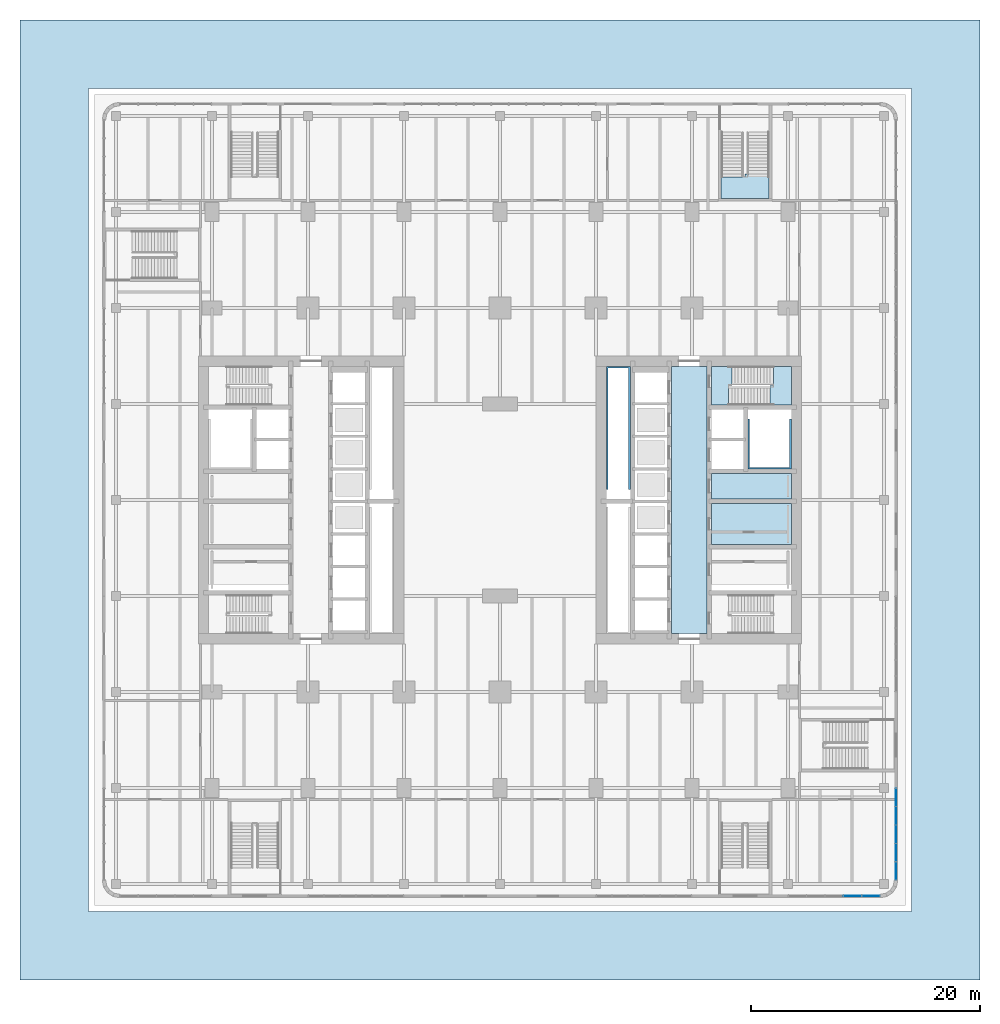
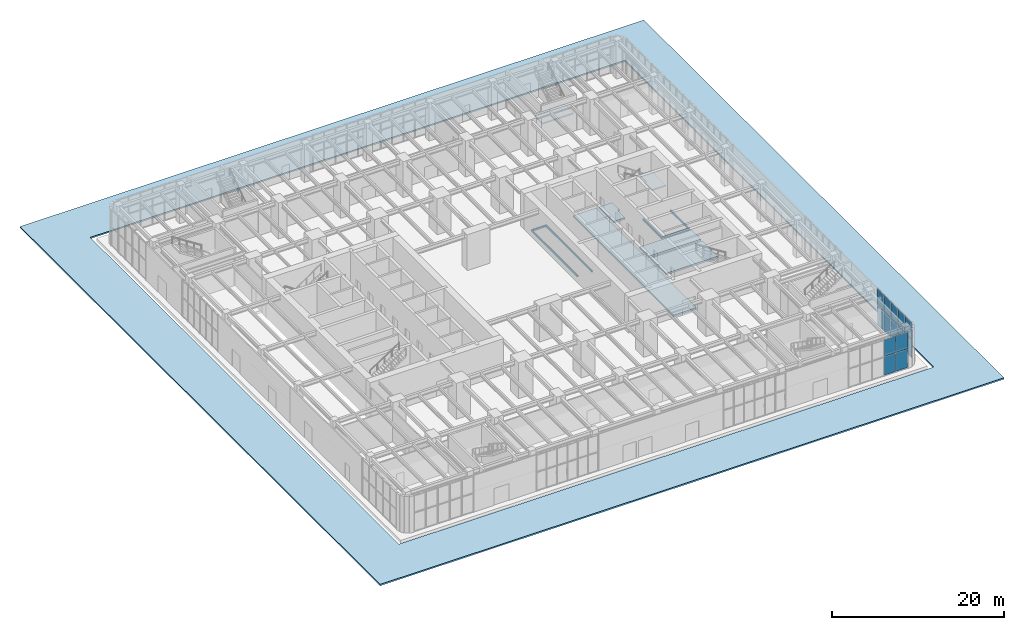
# One storey, part 15 of 31: 14 plates, 9 slabs, 4 elements without a shape of their own.
"""IFC4 building model written with IfcOpenShell, lengths in metres."""

from ifc_helpers import new_model, si_unit, direction, frame, origin, origin_2d, place, context, subcontext, project, spatial, polyline, rectangle, outline, extrude, material, layer, layer_set, type_object, element, aggregate, save


model = new_model("IFC4")

# Units and contexts
model_context = context("Model", 3, precision=1e-05, world=origin(), true_north=direction((0.0, 1.0)))
body_context = subcontext(model_context, "Body", "Model", "MODEL_VIEW")
ifc_project = project(units=[si_unit("LENGTHUNIT", "METRE"), si_unit("AREAUNIT", "SQUARE_METRE"), si_unit("VOLUMEUNIT", "CUBIC_METRE"), si_unit("PLANEANGLEUNIT", "RADIAN"), si_unit("MASSUNIT", "GRAM", prefix="KILO")], contexts=[model_context])

# Site, building, storey
site_placement = place(None, origin())
site = spatial("IfcSite", under=ifc_project, at=site_placement, CompositionType="ELEMENT")
building_placement = place(site_placement, origin())
building = spatial("IfcBuilding", under=site, at=building_placement, Name="Claustro Exchange Tower", CompositionType="ELEMENT")
storey_placement = place(building_placement, origin())
storey = spatial("IfcBuildingStorey", under=building, at=storey_placement, Name="L00", CompositionType="ELEMENT", Elevation=0.0)

# Curtain wall, plates
ifc_material_1 = material(Name="Aluminium frame, clear double glazing", Category="aluminium")
curtain_wall_type = type_object("IfcCurtainWallType", Name="CW1 storefront curtain wall", PredefinedType="USERDEFINED", material=ifc_material_1)
curtain_wall_1_placement = place(storey_placement, origin())
curtain_wall_1 = element("IfcCurtainWall", 1, at=curtain_wall_1_placement, inside=storey, type_object=curtain_wall_type, Name="Curtain wall CW1 L00", ObjectType="STICK CURTAIN WALL", PredefinedType="USERDEFINED")
ifc_material_2 = material(Name="Clear double glazing", Category="glass")
ifc_layer_1 = layer(ifc_material_2, 0.031982421875)
ifc_layer_set_1 = layer_set([ifc_layer_1], Name="Clear double glazing")
plate_type = type_object("IfcPlateType", Name="CW1-P 32 glazed panel", PredefinedType="CURTAIN_PANEL", material=ifc_layer_set_1)
plate_1_placement = place(storey_placement, frame((56.0595703125, -9.449951171875, 0.074951171875), z_axis=(0.0, 0.0, 1.0), x_axis=(1.0, 0.0, 0.0)))
plate_1 = element("IfcPlate", 2, at=plate_1_placement, type_object=plate_type, Name="CW1 panel 4.1", PredefinedType="CURTAIN_PANEL", context=body_context, shape_type="SweptSolid", body=[
    extrude(rectangle(XDim=1.5419921875, YDim=0.031982421875, at=origin_2d()), origin(), (0.0, 0.0, 1.0), 2.58740234375),
])
plate_2_placement = place(storey_placement, frame((56.0595703125, -9.449951171875, 2.7373046875), z_axis=(0.0, 0.0, 1.0), x_axis=(1.0, 0.0, 0.0)))
plate_2 = element("IfcPlate", 3, at=plate_2_placement, type_object=plate_type, Name="CW1 panel 4.2", PredefinedType="CURTAIN_PANEL", context=body_context, shape_type="SweptSolid", body=[
    extrude(rectangle(XDim=1.5419921875, YDim=0.031982421875, at=origin_2d()), origin(), (0.0, 0.0, 1.0), 2.387451171875),
])
plate_3_placement = place(storey_placement, frame((57.657958984375, -9.449951171875, 0.074951171875), z_axis=(0.0, 0.0, 1.0), x_axis=(1.0, 0.0, 0.0)))
plate_3 = element("IfcPlate", 4, at=plate_3_placement, type_object=plate_type, Name="CW1 panel 5.1", PredefinedType="CURTAIN_PANEL", context=body_context, shape_type="SweptSolid", body=[
    extrude(rectangle(XDim=1.504638671875, YDim=0.031982421875, at=origin_2d()), origin(), (0.0, 0.0, 1.0), 2.58740234375),
])
plate_4_placement = place(storey_placement, frame((57.657958984375, -9.449951171875, 2.7373046875), z_axis=(0.0, 0.0, 1.0), x_axis=(1.0, 0.0, 0.0)))
plate_4 = element("IfcPlate", 5, at=plate_4_placement, type_object=plate_type, Name="CW1 panel 5.2", PredefinedType="CURTAIN_PANEL", context=body_context, shape_type="SweptSolid", body=[
    extrude(rectangle(XDim=1.504638671875, YDim=0.031982421875, at=origin_2d()), origin(), (0.0, 0.0, 1.0), 2.387451171875),
])
aggregate(curtain_wall_1, [plate_1, plate_2, plate_3, plate_4])

curtain_wall_2_placement = place(storey_placement, origin())
curtain_wall_2 = element("IfcCurtainWall", 6, at=curtain_wall_2_placement, inside=storey, type_object=curtain_wall_type, Name="Curtain wall CW1 L00", ObjectType="STICK CURTAIN WALL", PredefinedType="USERDEFINED")
plate_5_placement = place(storey_placement, frame((59.85009765625, -7.2578125, 0.074951171875), z_axis=(0.0, 0.0, 1.0), x_axis=(0.0, 1.0, 0.0)))
plate_5 = element("IfcPlate", 7, at=plate_5_placement, type_object=plate_type, Name="CW1 panel 1.1", PredefinedType="CURTAIN_PANEL", context=body_context, shape_type="SweptSolid", body=[
    extrude(rectangle(XDim=1.504638671875, YDim=0.031982421875, at=origin_2d()), origin(), (0.0, 0.0, 1.0), 2.58740234375),
])
plate_6_placement = place(storey_placement, frame((59.85009765625, -7.2578125, 2.7373046875), z_axis=(0.0, 0.0, 1.0), x_axis=(0.0, 1.0, 0.0)))
plate_6 = element("IfcPlate", 8, at=plate_6_placement, type_object=plate_type, Name="CW1 panel 1.2", PredefinedType="CURTAIN_PANEL", context=body_context, shape_type="SweptSolid", body=[
    extrude(rectangle(XDim=1.504638671875, YDim=0.031982421875, at=origin_2d()), origin(), (0.0, 0.0, 1.0), 2.387451171875),
])
plate_7_placement = place(storey_placement, frame((59.85009765625, -5.65966796875, 0.074951171875), z_axis=(0.0, 0.0, 1.0), x_axis=(0.0, 1.0, 0.0)))
plate_7 = element("IfcPlate", 9, at=plate_7_placement, type_object=plate_type, Name="CW1 panel 2.1", PredefinedType="CURTAIN_PANEL", context=body_context, shape_type="SweptSolid", body=[
    extrude(rectangle(XDim=1.5419921875, YDim=0.031982421875, at=origin_2d()), origin(), (0.0, 0.0, 1.0), 2.58740234375),
])
plate_8_placement = place(storey_placement, frame((59.85009765625, -5.65966796875, 2.7373046875), z_axis=(0.0, 0.0, 1.0), x_axis=(0.0, 1.0, 0.0)))
plate_8 = element("IfcPlate", 10, at=plate_8_placement, type_object=plate_type, Name="CW1 panel 2.2", PredefinedType="CURTAIN_PANEL", context=body_context, shape_type="SweptSolid", body=[
    extrude(rectangle(XDim=1.5419921875, YDim=0.031982421875, at=origin_2d()), origin(), (0.0, 0.0, 1.0), 2.387451171875),
])
plate_9_placement = place(storey_placement, frame((59.85009765625, -4.04248046875, 0.074951171875), z_axis=(0.0, 0.0, 1.0), x_axis=(0.0, 1.0, 0.0)))
plate_9 = element("IfcPlate", 11, at=plate_9_placement, type_object=plate_type, Name="CW1 panel 3.1", PredefinedType="CURTAIN_PANEL", context=body_context, shape_type="SweptSolid", body=[
    extrude(rectangle(XDim=1.5419921875, YDim=0.031982421875, at=origin_2d()), origin(), (0.0, 0.0, 1.0), 2.58740234375),
])
plate_10_placement = place(storey_placement, frame((59.85009765625, -4.04248046875, 2.7373046875), z_axis=(0.0, 0.0, 1.0), x_axis=(0.0, 1.0, 0.0)))
plate_10 = element("IfcPlate", 12, at=plate_10_placement, type_object=plate_type, Name="CW1 panel 3.2", PredefinedType="CURTAIN_PANEL", context=body_context, shape_type="SweptSolid", body=[
    extrude(rectangle(XDim=1.5419921875, YDim=0.031982421875, at=origin_2d()), origin(), (0.0, 0.0, 1.0), 2.387451171875),
])
plate_11_placement = place(storey_placement, frame((59.85009765625, -2.425537109375, 0.074951171875), z_axis=(0.0, 0.0, 1.0), x_axis=(0.0, 1.0, 0.0)))
plate_11 = element("IfcPlate", 13, at=plate_11_placement, type_object=plate_type, Name="CW1 panel 4.1", PredefinedType="CURTAIN_PANEL", context=body_context, shape_type="SweptSolid", body=[
    extrude(rectangle(XDim=1.5419921875, YDim=0.031982421875, at=origin_2d()), origin(), (0.0, 0.0, 1.0), 2.58740234375),
])
plate_12_placement = place(storey_placement, frame((59.85009765625, -2.425537109375, 2.7373046875), z_axis=(0.0, 0.0, 1.0), x_axis=(0.0, 1.0, 0.0)))
plate_12 = element("IfcPlate", 14, at=plate_12_placement, type_object=plate_type, Name="CW1 panel 4.2", PredefinedType="CURTAIN_PANEL", context=body_context, shape_type="SweptSolid", body=[
    extrude(rectangle(XDim=1.5419921875, YDim=0.031982421875, at=origin_2d()), origin(), (0.0, 0.0, 1.0), 2.387451171875),
])
plate_13_placement = place(storey_placement, frame((59.85009765625, -0.8271484375, 0.074951171875), z_axis=(0.0, 0.0, 1.0), x_axis=(0.0, 1.0, 0.0)))
plate_13 = element("IfcPlate", 15, at=plate_13_placement, type_object=plate_type, Name="CW1 panel 5.1", PredefinedType="CURTAIN_PANEL", context=body_context, shape_type="SweptSolid", body=[
    extrude(rectangle(XDim=1.504638671875, YDim=0.031982421875, at=origin_2d()), origin(), (0.0, 0.0, 1.0), 2.58740234375),
])
plate_14_placement = place(storey_placement, frame((59.85009765625, -0.8271484375, 2.7373046875), z_axis=(0.0, 0.0, 1.0), x_axis=(0.0, 1.0, 0.0)))
plate_14 = element("IfcPlate", 16, at=plate_14_placement, type_object=plate_type, Name="CW1 panel 5.2", PredefinedType="CURTAIN_PANEL", context=body_context, shape_type="SweptSolid", body=[
    extrude(rectangle(XDim=1.504638671875, YDim=0.031982421875, at=origin_2d()), origin(), (0.0, 0.0, 1.0), 2.387451171875),
])
aggregate(curtain_wall_2, [plate_5, plate_6, plate_7, plate_8, plate_9, plate_10, plate_11, plate_12, plate_13, plate_14])

# Slabs
ifc_material_3 = material(Name="Granite setts on concrete HA-30 (C30/37)", Category="masonry")
ifc_layer_2 = layer(ifc_material_3, 0.199951171875)
ifc_layer_set_2 = layer_set([ifc_layer_2], Name="Granite setts on concrete HA-30 (C30/37)")
slab_type_1 = type_object("IfcSlabType", Name="PV1 200 forecourt granite paving", PredefinedType="USERDEFINED", material=ifc_layer_set_2)
slab_1_placement = place(storey_placement, frame((0.0, 0.0, -0.199951171875)))
element("IfcSlab", 17, at=slab_1_placement, inside=storey, type_object=slab_type_1, Name="Forecourt paving PV1", ObjectType="PAVING", PredefinedType="USERDEFINED", context=body_context, shape_type="SweptSolid", body=[
    extrude(outline(polyline([(-16.800048828125, -16.800048828125), (67.199951171875, -16.800048828125), (67.199951171875, 67.199951171875), (-16.800048828125, 67.199951171875), (-16.800048828125, -16.800048828125)]), holes=[polyline([(61.199951171875, 61.199951171875), (61.199951171875, -10.800048828125), (-10.800048828125, -10.800048828125), (-10.800048828125, 61.199951171875), (61.199951171875, 61.199951171875)])]), origin(), (0.0, 0.0, 1.0), 0.199951171875),
])
ifc_material_4 = material(Name="Concrete HA-50 (C50/60)", Category="concrete")
ifc_layer_3 = layer(ifc_material_4, 0.25)
ifc_layer_set_3 = layer_set([ifc_layer_3], Name="Concrete HA-50 (C50/60)")
slab_type_2 = type_object("IfcSlabType", Name="S7 250 core floor slab", PredefinedType="FLOOR", material=ifc_layer_set_3)
slab_2_placement = place(storey_placement, frame((0.0, 0.0, -0.25)))
element("IfcSlab", 18, at=slab_2_placement, inside=storey, type_object=slab_type_2, Name="Core floor slab S7 E core L00", PredefinedType="FLOOR", context=body_context, shape_type="SweptSolid", body=[
    extrude(outline(polyline([(36.60009765625, 26.10009765625), (36.60009765625, 36.89990234375), (34.5, 36.89990234375), (34.5, 26.10009765625), (34.64990234375, 26.10009765625), (34.64990234375, 36.75), (36.449951171875, 36.75), (36.449951171875, 26.10009765625), (36.60009765625, 26.10009765625)])), origin(), (0.0, 0.0, 1.0), 0.25),
])
slab_3_placement = place(storey_placement, frame((0.0, 0.0, -0.25)))
element("IfcSlab", 19, at=slab_3_placement, inside=storey, type_object=slab_type_2, Name="Core floor slab S7 E core L00", PredefinedType="FLOOR", context=body_context, shape_type="SweptSolid", body=[
    extrude(outline(polyline([(43.300048828125, 13.5), (43.300048828125, 36.89990234375), (40.199951171875, 36.89990234375), (40.199951171875, 13.5), (43.300048828125, 13.5)])), origin(), (0.0, 0.0, 1.0), 0.25),
])
slab_4_placement = place(storey_placement, frame((0.0, 0.0, -0.25)))
element("IfcSlab", 20, at=slab_4_placement, inside=storey, type_object=slab_type_2, Name="Core floor slab S7 E core L00", PredefinedType="FLOOR", context=body_context, shape_type="SweptSolid", body=[
    extrude(outline(polyline([(45.47998046875, 36.89990234375), (43.699951171875, 36.89990234375), (43.699951171875, 33.5), (45.205078125, 33.5), (45.205078125, 35.199951171875), (45.47998046875, 35.199951171875), (45.47998046875, 36.89990234375)])), origin(), (0.0, 0.0, 1.0), 0.25),
])
slab_5_placement = place(storey_placement, frame((0.0, 0.0, -0.25)))
element("IfcSlab", 21, at=slab_5_placement, inside=storey, type_object=slab_type_2, Name="Core floor slab S7 E core L00", PredefinedType="FLOOR", context=body_context, shape_type="SweptSolid", body=[
    extrude(outline(polyline([(50.699951171875, 27.5), (43.699951171875, 27.5), (43.699951171875, 25.300048828125), (50.699951171875, 25.300048828125), (50.699951171875, 27.5)])), origin(), (0.0, 0.0, 1.0), 0.25),
])
slab_6_placement = place(storey_placement, frame((0.0, 0.0, -0.25)))
element("IfcSlab", 22, at=slab_6_placement, inside=storey, type_object=slab_type_2, Name="Core floor slab S7 E core L00", PredefinedType="FLOOR", context=body_context, shape_type="SweptSolid", body=[
    extrude(outline(polyline([(50.699951171875, 21.300048828125), (50.699951171875, 24.89990234375), (43.699951171875, 24.89990234375), (43.699951171875, 21.300048828125), (50.699951171875, 21.300048828125)])), origin(), (0.0, 0.0, 1.0), 0.25),
])
slab_7_placement = place(storey_placement, frame((0.0, 0.0, -0.25)))
element("IfcSlab", 23, at=slab_7_placement, inside=storey, type_object=slab_type_2, Name="Core floor slab S7 E core L00", PredefinedType="FLOOR", context=body_context, shape_type="SweptSolid", body=[
    extrude(outline(polyline([(46.89990234375, 27.89990234375), (50.699951171875, 27.89990234375), (50.699951171875, 32.300048828125), (50.550048828125, 32.300048828125), (50.550048828125, 28.050048828125), (47.050048828125, 28.050048828125), (47.050048828125, 32.300048828125), (46.89990234375, 32.300048828125), (46.89990234375, 27.89990234375)])), origin(), (0.0, 0.0, 1.0), 0.25),
])

# Stair, slab
ifc_material_5 = material(Name="Concrete HA-30 (C30/37), precast", Category="concrete")
stair_type_1 = type_object("IfcStairType", Name="ST3 half-turn stair, 30 risers of 180", PredefinedType="HALF_TURN_STAIR", material=ifc_material_5)
stair_1_placement = place(storey_placement, origin())
stair_1 = element("IfcStair", 24, at=stair_1_placement, inside=storey, type_object=stair_type_1, Name="Stair STEB L00", PredefinedType="HALF_TURN_STAIR")
ifc_material_6 = material(Name="Concrete HA-30 (C30/37), precast", Category="concrete")
ifc_layer_4 = layer(ifc_material_6, 0.199951171875)
ifc_layer_set_4 = layer_set([ifc_layer_4], Name="Concrete HA-30 (C30/37), precast")
slab_type_3 = type_object("IfcSlabType", Name="S9 200 stair landing", PredefinedType="LANDING", material=ifc_layer_set_4)
slab_8_placement = place(storey_placement, frame((0.0, 0.0, 2.5)))
slab_8 = element("IfcSlab", 25, at=slab_8_placement, type_object=slab_type_3, Name="STEB landing 1", PredefinedType="LANDING", context=body_context, shape_type="SweptSolid", body=[
    extrude(outline(polyline([(48.840087890625, 33.5), (48.840087890625, 35.199951171875), (49.114990234375, 35.199951171875), (49.114990234375, 36.89990234375), (50.699951171875, 36.89990234375), (50.699951171875, 33.5), (49.1201171875, 33.5), (49.114990234375, 33.5), (48.840087890625, 33.5)])), origin(), (0.0, 0.0, 1.0), 0.199951171875),
])
aggregate(stair_1, [slab_8])

ifc_material_7 = material(Name="Concrete HA-30 (C30/37), precast", Category="concrete")
stair_type_2 = type_object("IfcStairType", Name="ST4 half-turn podium escape stair, 30 risers of 180, 1800 flights", PredefinedType="HALF_TURN_STAIR", material=ifc_material_7)
stair_2_placement = place(storey_placement, origin())
stair_2 = element("IfcStair", 26, at=stair_2_placement, inside=storey, type_object=stair_type_2, Name="Stair STP4 L00", PredefinedType="HALF_TURN_STAIR")
slab_9_placement = place(storey_placement, frame((0.0, 0.0, 2.5)))
slab_9 = element("IfcSlab", 27, at=slab_9_placement, type_object=slab_type_3, Name="STP4 landing 1", PredefinedType="LANDING", context=body_context, shape_type="SweptSolid", body=[
    extrude(outline(polyline([(48.75, 51.60009765625), (44.550048828125, 51.60009765625), (44.550048828125, 53.465087890625), (46.64990234375, 53.465087890625), (46.64990234375, 53.739990234375), (48.75, 53.739990234375), (48.75, 53.465087890625), (48.75, 53.4599609375), (48.75, 51.60009765625)])), origin(), (0.0, 0.0, 1.0), 0.199951171875),
])
aggregate(stair_2, [slab_9])

save(model, "model.ifc")
